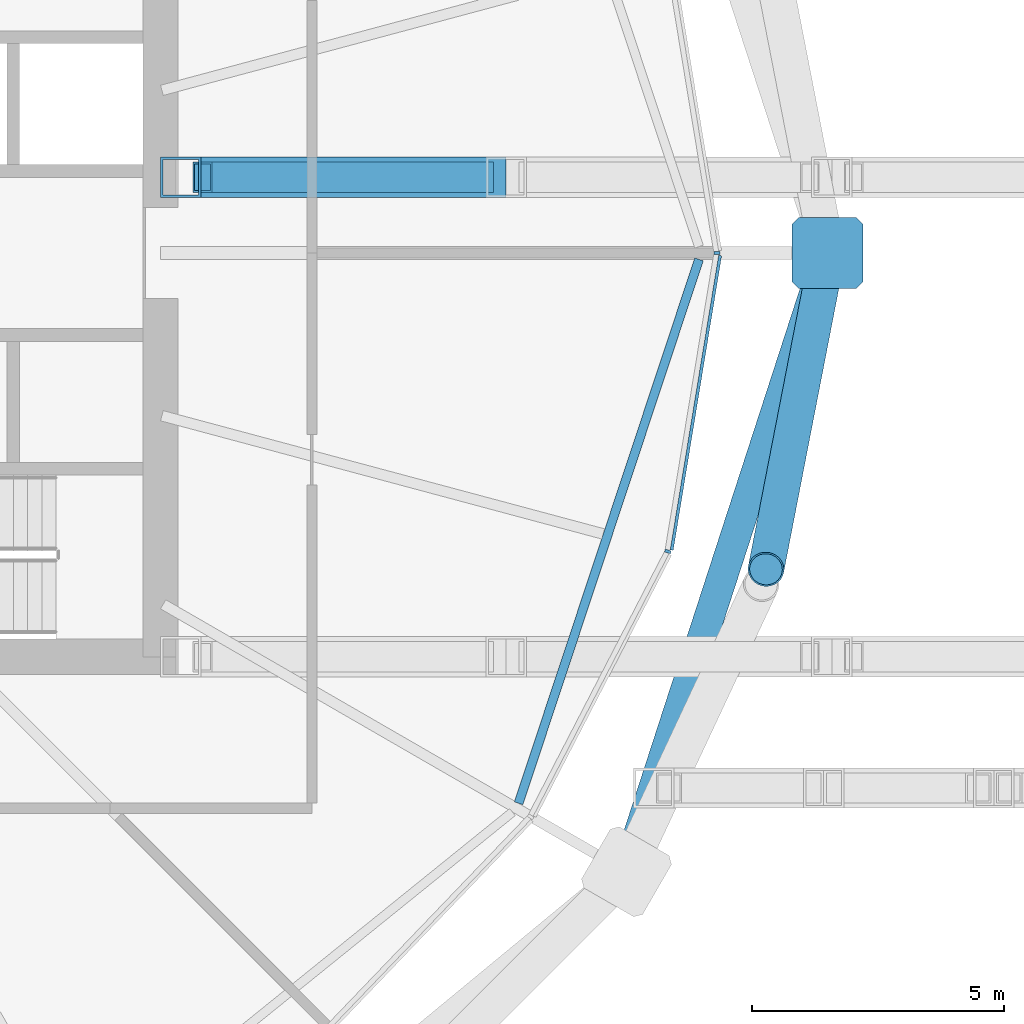
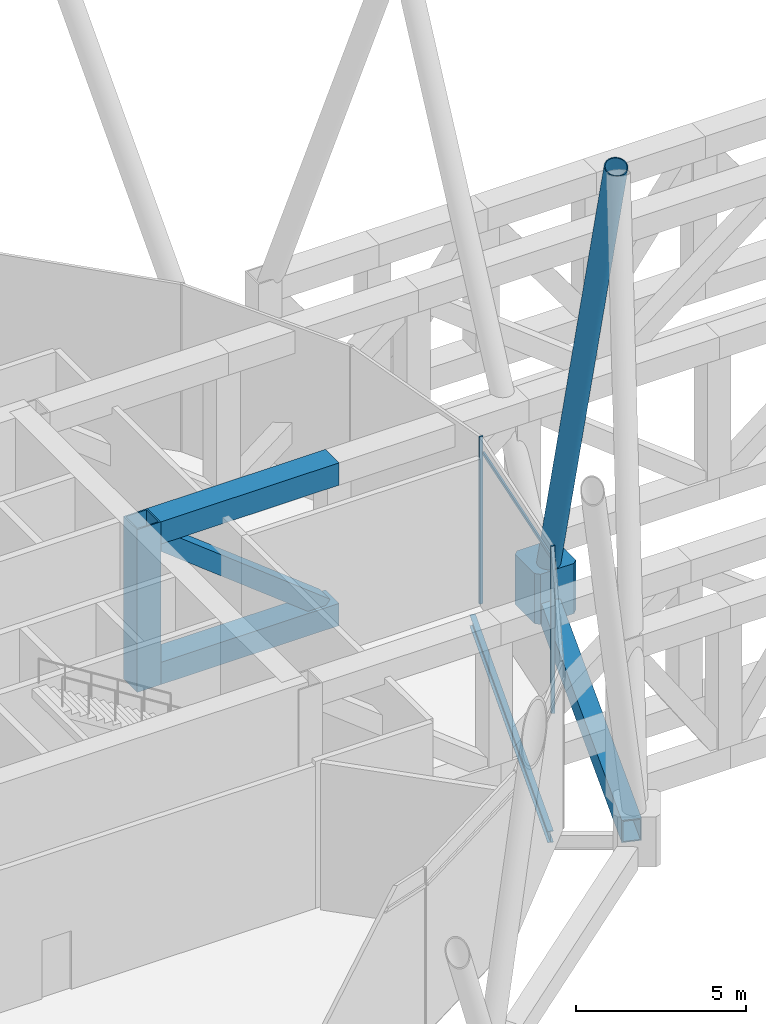
# One storey, part 9 of 39: 9 members, 2 beams, 1 element without a shape of its own.
"""IFC4 building model written with IfcOpenShell, lengths in metres."""

from ifc_helpers import new_model, si_unit, direction, frame, origin, origin_2d, place, context, subcontext, project, spatial, polyline, rectangle, hollow_rectangle, hollow_circle, i_section, outline, extrude, material, material_profile, profile_set, type_object, element, aggregate, save


model = new_model("IFC4")

# Units and contexts
model_context = context("Model", 3, precision=1e-05, world=origin(), true_north=direction((0.0, 1.0)))
body_context = subcontext(model_context, "Body", "Model", "MODEL_VIEW")
ifc_project = project(units=[si_unit("LENGTHUNIT", "METRE"), si_unit("AREAUNIT", "SQUARE_METRE"), si_unit("VOLUMEUNIT", "CUBIC_METRE"), si_unit("PLANEANGLEUNIT", "RADIAN"), si_unit("MASSUNIT", "GRAM", prefix="KILO")], contexts=[model_context])

# Site, building, storey
site_placement = place(None, origin())
site = spatial("IfcSite", under=ifc_project, at=site_placement, CompositionType="ELEMENT")
building_placement = place(site_placement, origin())
building = spatial("IfcBuilding", under=site, at=building_placement, Name="Rimbun Link Towers", CompositionType="ELEMENT")
storey_placement = place(building_placement, frame((0.0, 0.0, 127.199951171875)))
storey = spatial("IfcBuildingStorey", under=building, at=storey_placement, Name="L31", CompositionType="ELEMENT", Elevation=127.199951171875)

# Curtain wall, members
ifc_material_1 = material(Name="Aluminium 6063-T6 louvre wall", Category="aluminium")
curtain_wall_type = type_object("IfcCurtainWallType", Name="CW6 plant floor louvre wall", PredefinedType="NOTDEFINED", material=ifc_material_1)
curtain_wall_placement = place(storey_placement, origin())
curtain_wall = element("IfcCurtainWall", 1, at=curtain_wall_placement, inside=storey, type_object=curtain_wall_type, Name="CW6 L31 T1", PredefinedType="NOTDEFINED")
ifc_material_2 = material(Name="Aluminium 6063-T6", Category="aluminium")
ifc_material_profile_1 = material_profile(ifc_material_2, rectangle(XDim=0.1201171875, YDim=0.06005859375, at=origin_2d()), Name="MULLION 60X120")
ifc_profile_set_1 = profile_set([ifc_material_profile_1], Name="Aluminium 6063-T6")
member_type_1 = type_object("IfcMemberType", Name="CW6 mullion 60X120", PredefinedType="MULLION", material=ifc_profile_set_1)
member_1_placement = place(storey_placement, frame((-8.724853515625, 0.0, 0.0), z_axis=(0.0, 0.0, 1.0), x_axis=(1.0, 0.0, 0.0)))
member_1 = element("IfcMember", 2, at=member_1_placement, type_object=member_type_1, Name="CW6 mullion", PredefinedType="MULLION", context=body_context, shape_type="SweptSolid", body=[
    extrude(rectangle(XDim=0.1201171875, YDim=0.06005859375, at=origin_2d()), origin(), (0.0, 0.0, 1.0), 6.0),
])
member_2_placement = place(storey_placement, frame((-9.697021484375, -5.91259765625, 0.0), z_axis=(0.0, 0.0, 1.0), x_axis=(0.949163446293, -0.314783659393, 0.0)))
member_2 = element("IfcMember", 3, at=member_2_placement, type_object=member_type_1, Name="CW6 mullion", PredefinedType="MULLION", context=body_context, shape_type="SweptSolid", body=[
    extrude(rectangle(XDim=0.1201171875, YDim=0.06005859375, at=origin_2d()), origin(), (0.0, 0.0, 1.0), 6.0),
])
ifc_material_3 = material(Name="Aluminium 6063-T6", Category="aluminium")
ifc_material_profile_2 = material_profile(ifc_material_3, rectangle(XDim=0.06005859375, YDim=0.1201171875, at=origin_2d()), Name="TRANSOM 60X120")
ifc_profile_set_2 = profile_set([ifc_material_profile_2], Name="Aluminium 6063-T6")
member_type_2 = type_object("IfcMemberType", Name="CW6 transom 60X120", PredefinedType="USERDEFINED", material=ifc_profile_set_2)
member_3_placement = place(storey_placement, frame((-8.661376953125, -0.05078125, 5.400146484375), z_axis=(-0.162269383582, -0.98674649589, 0.0), x_axis=(0.98674649589, -0.162269383582, 0.0)))
member_3 = element("IfcMember", 4, at=member_3_placement, type_object=member_type_2, Name="CW6 transom", ObjectType="TRANSOM", PredefinedType="USERDEFINED", context=body_context, shape_type="SweptSolid", body=[
    extrude(rectangle(XDim=0.06005859375, YDim=0.1201171875, at=origin_2d()), origin(), (0.0, 0.0, 1.0), 5.912841796875),
])
aggregate(curtain_wall, [member_1, member_2, member_3])

# Members
ifc_material_4 = material(Name="Steel S460NH", Category="steel")
ifc_material_profile_3 = material_profile(ifc_material_4, hollow_circle(Radius=0.355712890625, WallThickness=0.031982421875, at=origin_2d()), Name="Diagrid diagonal CHS 711x32")
ifc_profile_set_3 = profile_set([ifc_material_profile_3], Name="Steel S460NH")
member_type_3 = type_object("IfcMemberType", Name="Diagrid diagonal CHS 711x32", PredefinedType="BRACE", material=ifc_profile_set_3)
member_4_placement = place(storey_placement, frame((-6.565185546875, -0.155517578125, 0.474365234375), z_axis=(-0.060417947437, -0.310781180507, 0.948559291489), x_axis=(0.981622328681, -0.190833969291, 0.0)))
element("IfcMember", 5, at=member_4_placement, inside=storey, type_object=member_type_3, Name="Diagrid diagonal T1 L31-L35 00a", PredefinedType="BRACE", context=body_context, shape_type="SweptSolid", body=[
    extrude(hollow_circle(Radius=0.355712890625, WallThickness=0.031982421875, at=origin_2d()), origin(), (0.0, 0.0, 1.0), 19.662841796875),
])
ifc_material_5 = material(Name="Cast steel G20Mn5+QT, Rp0.2 300 MPa", Category="steel")
ifc_material_profile_4 = material_profile(ifc_material_5, outline(polyline([(0.699951171875, -0.570068359375), (0.699951171875, 0.570068359375), (0.570068359375, 0.699951171875), (-0.570068359375, 0.699951171875), (-0.699951171875, 0.570068359375), (-0.699951171875, -0.570068359375), (-0.570068359375, -0.699951171875), (0.570068359375, -0.699951171875), (0.699951171875, -0.570068359375)])), Name="NODE 1400x1400")
ifc_profile_set_4 = profile_set([ifc_material_profile_4], Name="Cast steel G20Mn5+QT, Rp0.2 300 MPa")
member_type_4 = type_object("IfcMemberType", Name="Diagrid node cast 1400", PredefinedType="USERDEFINED", material=ifc_profile_set_4)
member_5_placement = place(storey_placement, frame((-6.534912109375, 0.0, -0.89990234375), z_axis=(0.0, 0.0, 1.0), x_axis=(1.0, 0.0, 0.0)))
element("IfcMember", 6, at=member_5_placement, inside=storey, type_object=member_type_4, Name="Diagrid node L31 00", ObjectType="Diagrid node", PredefinedType="USERDEFINED", context=body_context, shape_type="SweptSolid", body=[
    extrude(outline(polyline([(0.699951171875, -0.570068359375), (0.699951171875, 0.570068359375), (0.570068359375, 0.699951171875), (-0.570068359375, 0.699951171875), (-0.699951171875, 0.570068359375), (-0.699951171875, -0.570068359375), (-0.570068359375, -0.699951171875), (0.570068359375, -0.699951171875), (0.699951171875, -0.570068359375)])), origin(), (0.0, 0.0, 1.0), 1.800048828125),
])

# Beam
ifc_material_6 = material(Name="Steel S355J2", Category="steel")
ifc_material_profile_5 = material_profile(ifc_material_6, hollow_rectangle(XDim=0.60009765625, YDim=0.800048828125, WallThickness=0.0400390625, at=origin_2d()), Name="Exoskeleton ring girder BOX 600x800x40")
ifc_profile_set_5 = profile_set([ifc_material_profile_5], Name="Steel S355J2")
beam_type_1 = type_object("IfcBeamType", Name="Exoskeleton ring girder BOX 600x800x40", PredefinedType="BEAM", material=ifc_profile_set_5)
beam_1_placement = place(storey_placement, frame((-10.300537109375, -11.59326171875, -0.56005859375), z_axis=(0.308919342072, 0.951088239909, 0.0), x_axis=(-0.951088239909, 0.308919342072, 0.0)))
element("IfcBeam", 7, at=beam_1_placement, inside=storey, type_object=beam_type_1, Name="Exoskeleton ring girder L31 09", PredefinedType="BEAM", context=body_context, shape_type="SweptSolid", body=[
    extrude(hollow_rectangle(XDim=0.60009765625, YDim=0.800048828125, WallThickness=0.0400390625, at=origin_2d()), origin(), (0.0, 0.0, 1.0), 11.489501953125),
])

# Members
ifc_material_7 = material(Name="Steel S460N", Category="steel")
ifc_material_profile_6 = material_profile(ifc_material_7, hollow_rectangle(XDim=0.800048828125, YDim=0.800048828125, WallThickness=0.050048828125, at=origin_2d()), Name="Link transfer truss chord BOX 800x800x50")
ifc_profile_set_6 = profile_set([ifc_material_profile_6], Name="Steel S460N")
member_type_5 = type_object("IfcMemberType", Name="Link transfer truss chord BOX 800x800x50", PredefinedType="CHORD", material=ifc_profile_set_6)
for number, where, z_axis, x_axis, name in (
    (8, (-18.949951171875, 1.5, 0.400146484375), (1.0, 0.0, 0.0), (0.0, 1.0, 0.0), "Link transfer truss chord 2 bottom 00"),
    (9, (-18.949951171875, 1.5, 5.43994140625), (1.0, 0.0, 0.0), (0.0, 1.0, 0.0), "Link transfer truss chord 2 top 00"),
):
    element("IfcMember", number, at=place(storey_placement, frame(where, z_axis=z_axis, x_axis=x_axis)), inside=storey, type_object=member_type_5, Name=name, PredefinedType="CHORD", context=body_context, shape_type="SweptSolid", body=[
        extrude(hollow_rectangle(XDim=0.800048828125, YDim=0.800048828125, WallThickness=0.050048828125, at=origin_2d()), origin(), (0.0, 0.0, 1.0), 6.050048828125),
    ])
ifc_material_8 = material(Name="Steel S460N", Category="steel")
ifc_material_profile_7 = material_profile(ifc_material_8, hollow_rectangle(XDim=0.60009765625, YDim=0.60009765625, WallThickness=0.0400390625, at=origin_2d()), Name="Link transfer truss diagonal BOX 600x600x40")
ifc_profile_set_7 = profile_set([ifc_material_profile_7], Name="Steel S460N")
member_type_6 = type_object("IfcMemberType", Name="Link transfer truss diagonal BOX 600x600x40", PredefinedType="BRACE", material=ifc_profile_set_7)
member_6_placement = place(storey_placement, frame((-18.91650390625, 1.5, 5.1015625), z_axis=(0.787951234296, 0.0, -0.61573764898), x_axis=(0.0, 1.0, 0.0)))
element("IfcMember", 10, at=member_6_placement, inside=storey, type_object=member_type_6, Name="Link transfer truss diagonal 2 00", PredefinedType="BRACE", context=body_context, shape_type="SweptSolid", body=[
    extrude(hollow_rectangle(XDim=0.60009765625, YDim=0.60009765625, WallThickness=0.0400390625, at=origin_2d()), origin(), (0.0, 0.0, 1.0), 7.08544921875),
])
ifc_material_9 = material(Name="Steel S460N", Category="steel")
ifc_material_profile_8 = material_profile(ifc_material_9, hollow_rectangle(XDim=0.800048828125, YDim=0.800048828125, WallThickness=0.050048828125, at=origin_2d()), Name="Link transfer truss post BOX 800x800x50")
ifc_profile_set_8 = profile_set([ifc_material_profile_8], Name="Steel S460N")
member_type_7 = type_object("IfcMemberType", Name="Link transfer truss post BOX 800x800x50", PredefinedType="POST", material=ifc_profile_set_8)
member_7_placement = place(storey_placement, frame((-19.35009765625, 1.5, 0.0), z_axis=(0.0, 0.0, 1.0), x_axis=(1.0, 0.0, 0.0)))
element("IfcMember", 11, at=member_7_placement, inside=storey, type_object=member_type_7, Name="Link transfer truss post 2-00", PredefinedType="POST", context=body_context, shape_type="SweptSolid", body=[
    extrude(hollow_rectangle(XDim=0.800048828125, YDim=0.800048828125, WallThickness=0.050048828125, at=origin_2d()), origin(), (0.0, 0.0, 1.0), 5.840087890625),
])

# Beam
ifc_material_10 = material(Name="Steel S355J2", Category="steel")
ifc_material_profile_9 = material_profile(ifc_material_10, i_section(OverallWidth=0.177978515625, OverallDepth=0.406494140625, WebThickness=0.0078125, FlangeThickness=0.0126953125, at=origin_2d()), Name="UB 406x178x60")
ifc_profile_set_9 = profile_set([ifc_material_profile_9], Name="Steel S355J2")
beam_type_2 = type_object("IfcBeamType", Name="UB 406x178x60", PredefinedType="BEAM", material=ifc_profile_set_9)
beam_2_placement = place(storey_placement, frame((-12.654296875, -10.90283203125, -0.383056640625), z_axis=(0.314801575785, 0.949157504255, 0.0), x_axis=(-0.949157504255, 0.314801575785, 0.0)))
element("IfcBeam", 12, at=beam_2_placement, inside=storey, type_object=beam_type_2, Name="Edge beam T1 L31 22-00", PredefinedType="BEAM", context=body_context, shape_type="SweptSolid", body=[
    extrude(i_section(OverallWidth=0.177978515625, OverallDepth=0.406494140625, WebThickness=0.0078125, FlangeThickness=0.0126953125, at=origin_2d()), origin(), (0.0, 0.0, 1.0), 11.352294921875),
])

save(model, "model.ifc")
